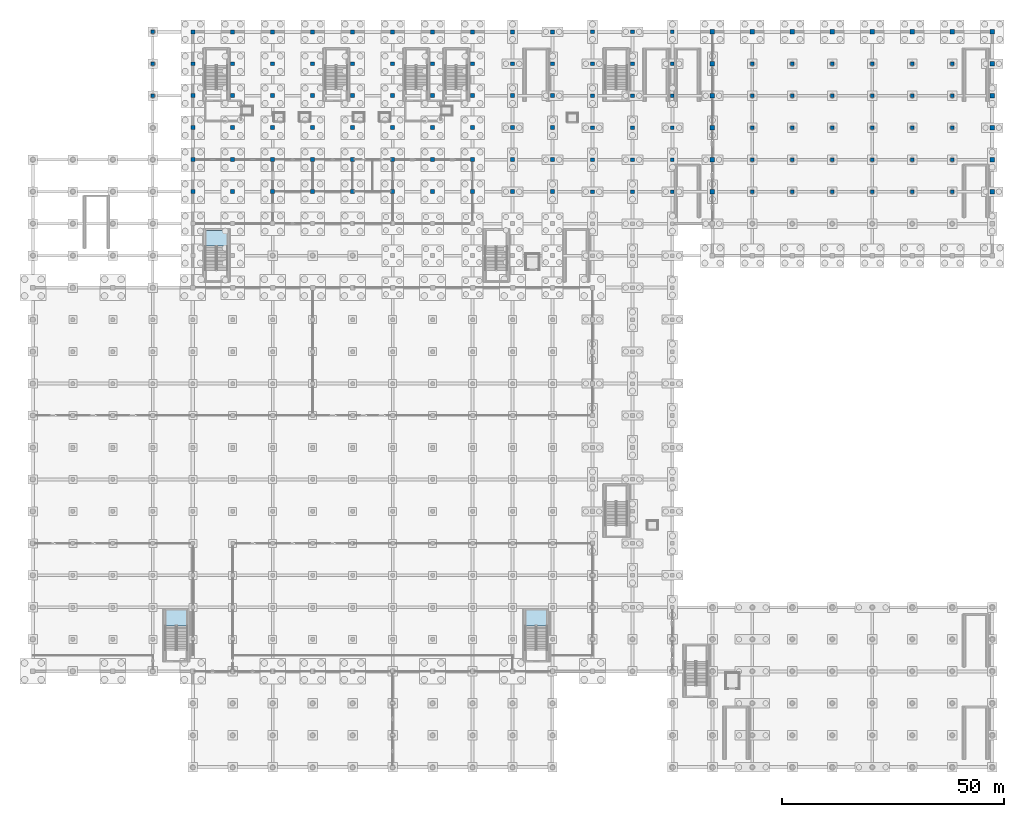
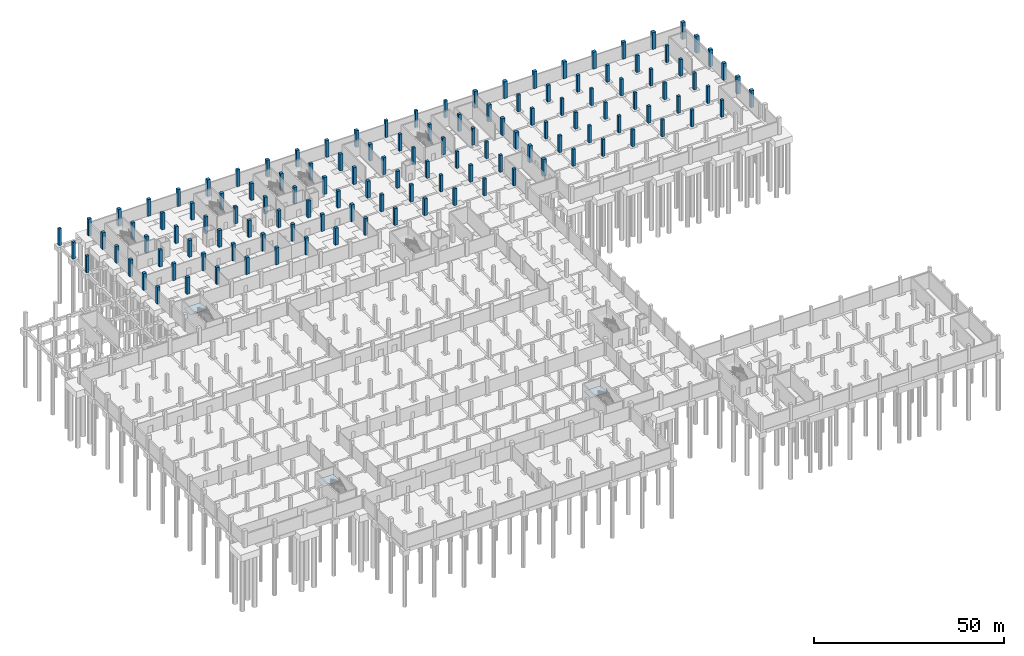
# One storey, part 14 of 39: 129 columns, 3 slabs, 3 elements without a shape of their own.
"""IFC4 building model written with IfcOpenShell, lengths in metres."""

from ifc_helpers import new_model, si_unit, direction, frame, origin, origin_2d, place, context, subcontext, project, spatial, polyline, rectangle, outline, extrude, material, layer, layer_set, material_profile, profile_set, type_object, element, aggregate, save


model = new_model("IFC4")

# Units and contexts
model_context = context("Model", 3, precision=1e-05, world=origin(), true_north=direction((0.0, 1.0)))
body_context = subcontext(model_context, "Body", "Model", "MODEL_VIEW")
ifc_project = project(units=[si_unit("LENGTHUNIT", "METRE"), si_unit("AREAUNIT", "SQUARE_METRE"), si_unit("VOLUMEUNIT", "CUBIC_METRE"), si_unit("PLANEANGLEUNIT", "RADIAN"), si_unit("MASSUNIT", "GRAM", prefix="KILO")], contexts=[model_context])

# Site, building, storey
site_placement = place(None, origin())
site = spatial("IfcSite", under=ifc_project, at=site_placement, CompositionType="ELEMENT")
building_placement = place(site_placement, origin())
building = spatial("IfcBuilding", under=site, at=building_placement, Name="Celestram Park Convention Centre", CompositionType="ELEMENT")
storey_placement = place(building_placement, frame((0.0, 0.0, -5.39990234375)))
storey = spatial("IfcBuildingStorey", under=building, at=storey_placement, Name="B1", CompositionType="ELEMENT", Elevation=-5.39990234375)

# Columns
ifc_material_1 = material(Name="Concrete C40/50", Category="concrete")
ifc_material_profile_1 = material_profile(ifc_material_1, rectangle(XDim=1.0, YDim=1.0, at=origin_2d()), Name="RC1000X1000")
ifc_profile_set_1 = profile_set([ifc_material_profile_1], Name="Concrete C40/50")
column_type_1 = type_object("IfcColumnType", Name="STR-COL-RC1000", PredefinedType="COLUMN", material=ifc_profile_set_1)
for number, where, z_axis, x_axis, name in (
    (1, (153.0, 129.60009765625, 0.0), (0.0, 0.0, 1.0), (1.0, 0.0, 0.0), "Column CN-B1-387"),
    (2, (153.0, 136.800048828125, 0.0), (0.0, 0.0, 1.0), (1.0, 0.0, 0.0), "Column CN-B1-388"),
    (3, (153.0, 144.0, 0.0), (0.0, 0.0, 1.0), (1.0, 0.0, 0.0), "Column CN-B1-389"),
    (4, (153.0, 151.199951171875, 0.0), (0.0, 0.0, 1.0), (1.0, 0.0, 0.0), "Column CN-B1-390"),
    (5, (153.0, 158.39990234375, 0.0), (0.0, 0.0, 1.0), (1.0, 0.0, 0.0), "Column CN-B1-391"),
    (6, (153.0, 165.60009765625, 0.0), (0.0, 0.0, 1.0), (1.0, 0.0, 0.0), "Column CN-B1-392"),
    (7, (162.0, 165.60009765625, 0.0), (0.0, 0.0, 1.0), (1.0, 0.0, 0.0), "Column CN-B1-406"),
    (8, (171.0, 165.60009765625, 0.0), (0.0, 0.0, 1.0), (1.0, 0.0, 0.0), "Column CN-B1-420"),
    (9, (180.0, 165.60009765625, 0.0), (0.0, 0.0, 1.0), (1.0, 0.0, 0.0), "Column CN-B1-434"),
    (10, (189.0, 165.60009765625, 0.0), (0.0, 0.0, 1.0), (1.0, 0.0, 0.0), "Column CN-B1-448"),
    (11, (198.0, 165.60009765625, 0.0), (0.0, 0.0, 1.0), (1.0, 0.0, 0.0), "Column CN-B1-462"),
    (12, (207.0, 165.60009765625, 0.0), (0.0, 0.0, 1.0), (1.0, 0.0, 0.0), "Column CN-B1-476"),
    (13, (216.0, 129.60009765625, 0.0), (0.0, 0.0, 1.0), (1.0, 0.0, 0.0), "Column CN-B1-485"),
    (14, (216.0, 136.800048828125, 0.0), (0.0, 0.0, 1.0), (1.0, 0.0, 0.0), "Column CN-B1-486"),
    (15, (216.0, 144.0, 0.0), (0.0, 0.0, 1.0), (1.0, 0.0, 0.0), "Column CN-B1-487"),
    (16, (216.0, 151.199951171875, 0.0), (0.0, 0.0, 1.0), (1.0, 0.0, 0.0), "Column CN-B1-488"),
    (17, (216.0, 158.39990234375, 0.0), (0.0, 0.0, 1.0), (1.0, 0.0, 0.0), "Column CN-B1-489"),
    (18, (216.0, 165.60009765625, 0.0), (0.0, 0.0, 1.0), (1.0, 0.0, 0.0), "Column CN-B1-490"),
):
    element("IfcColumn", number, at=place(storey_placement, frame(where, z_axis=z_axis, x_axis=x_axis)), inside=storey, type_object=column_type_1, Name=name, PredefinedType="COLUMN", context=body_context, shape_type="SweptSolid", body=[
        extrude(rectangle(XDim=1.0, YDim=1.0, at=origin_2d()), origin(), (0.0, 0.0, 1.0), 5.39990234375),
    ])
ifc_material_profile_2 = material_profile(ifc_material_1, rectangle(XDim=0.75, YDim=0.75, at=origin_2d()), Name="RC750X750")
ifc_profile_set_2 = profile_set([ifc_material_profile_2], Name="Concrete C40/50")
column_type_2 = type_object("IfcColumnType", Name="STR-COL-RC750", PredefinedType="COLUMN", material=ifc_profile_set_2)
for number, where, z_axis, x_axis, name in (
    (19, (27.0, 151.199951171875, 0.0), (0.0, 0.0, 1.0), (1.0, 0.0, 0.0), "Column CN-B1-070"),
    (20, (27.0, 158.39990234375, 0.0), (0.0, 0.0, 1.0), (1.0, 0.0, 0.0), "Column CN-B1-071"),
    (21, (27.0, 165.60009765625, 0.0), (0.0, 0.0, 1.0), (1.0, 0.0, 0.0), "Column CN-B1-072"),
):
    element("IfcColumn", number, at=place(storey_placement, frame(where, z_axis=z_axis, x_axis=x_axis)), inside=storey, type_object=column_type_2, Name=name, PredefinedType="COLUMN", context=body_context, shape_type="SweptSolid", body=[
        extrude(rectangle(XDim=0.75, YDim=0.75, at=origin_2d()), origin(), (0.0, 0.0, 1.0), 5.39990234375),
    ])
ifc_material_profile_3 = material_profile(ifc_material_1, rectangle(XDim=0.800048828125, YDim=0.800048828125, at=origin_2d()), Name="RC800X800")
ifc_profile_set_3 = profile_set([ifc_material_profile_3], Name="Concrete C40/50")
column_type_3 = type_object("IfcColumnType", Name="STR-COL-RC800", PredefinedType="COLUMN", material=ifc_profile_set_3)
for number, where, z_axis, x_axis, name in (
    (22, (126.0, 129.60009765625, 0.0), (0.0, 0.0, 1.0), (1.0, 0.0, 0.0), "Column CN-B1-328"),
    (23, (126.0, 136.800048828125, 0.0), (0.0, 0.0, 1.0), (1.0, 0.0, 0.0), "Column CN-B1-329"),
    (24, (126.0, 144.0, 0.0), (0.0, 0.0, 1.0), (1.0, 0.0, 0.0), "Column CN-B1-330"),
    (25, (126.0, 151.199951171875, 0.0), (0.0, 0.0, 1.0), (1.0, 0.0, 0.0), "Column CN-B1-331"),
    (26, (126.0, 158.39990234375, 0.0), (0.0, 0.0, 1.0), (1.0, 0.0, 0.0), "Column CN-B1-332"),
    (27, (126.0, 165.60009765625, 0.0), (0.0, 0.0, 1.0), (1.0, 0.0, 0.0), "Column CN-B1-333"),
    (28, (135.0, 129.60009765625, 0.0), (0.0, 0.0, 1.0), (1.0, 0.0, 0.0), "Column CN-B1-349"),
    (29, (135.0, 136.800048828125, 0.0), (0.0, 0.0, 1.0), (1.0, 0.0, 0.0), "Column CN-B1-350"),
    (30, (135.0, 144.0, 0.0), (0.0, 0.0, 1.0), (1.0, 0.0, 0.0), "Column CN-B1-351"),
    (31, (135.0, 151.199951171875, 0.0), (0.0, 0.0, 1.0), (1.0, 0.0, 0.0), "Column CN-B1-352"),
    (32, (135.0, 158.39990234375, 0.0), (0.0, 0.0, 1.0), (1.0, 0.0, 0.0), "Column CN-B1-353"),
    (33, (135.0, 165.60009765625, 0.0), (0.0, 0.0, 1.0), (1.0, 0.0, 0.0), "Column CN-B1-354"),
    (34, (144.0, 129.60009765625, 0.0), (0.0, 0.0, 1.0), (1.0, 0.0, 0.0), "Column CN-B1-373"),
    (35, (144.0, 136.800048828125, 0.0), (0.0, 0.0, 1.0), (1.0, 0.0, 0.0), "Column CN-B1-374"),
    (36, (144.0, 144.0, 0.0), (0.0, 0.0, 1.0), (1.0, 0.0, 0.0), "Column CN-B1-375"),
    (37, (144.0, 151.199951171875, 0.0), (0.0, 0.0, 1.0), (1.0, 0.0, 0.0), "Column CN-B1-376"),
    (38, (144.0, 158.39990234375, 0.0), (0.0, 0.0, 1.0), (1.0, 0.0, 0.0), "Column CN-B1-377"),
    (39, (144.0, 165.60009765625, 0.0), (0.0, 0.0, 1.0), (1.0, 0.0, 0.0), "Column CN-B1-378"),
    (40, (162.0, 129.60009765625, 0.0), (0.0, 0.0, 1.0), (1.0, 0.0, 0.0), "Column CN-B1-401"),
    (41, (162.0, 136.800048828125, 0.0), (0.0, 0.0, 1.0), (1.0, 0.0, 0.0), "Column CN-B1-402"),
    (42, (162.0, 144.0, 0.0), (0.0, 0.0, 1.0), (1.0, 0.0, 0.0), "Column CN-B1-403"),
    (43, (162.0, 151.199951171875, 0.0), (0.0, 0.0, 1.0), (1.0, 0.0, 0.0), "Column CN-B1-404"),
    (44, (162.0, 158.39990234375, 0.0), (0.0, 0.0, 1.0), (1.0, 0.0, 0.0), "Column CN-B1-405"),
    (45, (171.0, 129.60009765625, 0.0), (0.0, 0.0, 1.0), (1.0, 0.0, 0.0), "Column CN-B1-415"),
    (46, (171.0, 136.800048828125, 0.0), (0.0, 0.0, 1.0), (1.0, 0.0, 0.0), "Column CN-B1-416"),
    (47, (171.0, 144.0, 0.0), (0.0, 0.0, 1.0), (1.0, 0.0, 0.0), "Column CN-B1-417"),
    (48, (171.0, 151.199951171875, 0.0), (0.0, 0.0, 1.0), (1.0, 0.0, 0.0), "Column CN-B1-418"),
    (49, (171.0, 158.39990234375, 0.0), (0.0, 0.0, 1.0), (1.0, 0.0, 0.0), "Column CN-B1-419"),
    (50, (180.0, 129.60009765625, 0.0), (0.0, 0.0, 1.0), (1.0, 0.0, 0.0), "Column CN-B1-429"),
    (51, (180.0, 136.800048828125, 0.0), (0.0, 0.0, 1.0), (1.0, 0.0, 0.0), "Column CN-B1-430"),
    (52, (180.0, 144.0, 0.0), (0.0, 0.0, 1.0), (1.0, 0.0, 0.0), "Column CN-B1-431"),
    (53, (180.0, 151.199951171875, 0.0), (0.0, 0.0, 1.0), (1.0, 0.0, 0.0), "Column CN-B1-432"),
    (54, (180.0, 158.39990234375, 0.0), (0.0, 0.0, 1.0), (1.0, 0.0, 0.0), "Column CN-B1-433"),
    (55, (189.0, 129.60009765625, 0.0), (0.0, 0.0, 1.0), (1.0, 0.0, 0.0), "Column CN-B1-443"),
    (56, (189.0, 136.800048828125, 0.0), (0.0, 0.0, 1.0), (1.0, 0.0, 0.0), "Column CN-B1-444"),
    (57, (189.0, 144.0, 0.0), (0.0, 0.0, 1.0), (1.0, 0.0, 0.0), "Column CN-B1-445"),
    (58, (189.0, 151.199951171875, 0.0), (0.0, 0.0, 1.0), (1.0, 0.0, 0.0), "Column CN-B1-446"),
    (59, (189.0, 158.39990234375, 0.0), (0.0, 0.0, 1.0), (1.0, 0.0, 0.0), "Column CN-B1-447"),
    (60, (198.0, 129.60009765625, 0.0), (0.0, 0.0, 1.0), (1.0, 0.0, 0.0), "Column CN-B1-457"),
    (61, (198.0, 136.800048828125, 0.0), (0.0, 0.0, 1.0), (1.0, 0.0, 0.0), "Column CN-B1-458"),
    (62, (198.0, 144.0, 0.0), (0.0, 0.0, 1.0), (1.0, 0.0, 0.0), "Column CN-B1-459"),
    (63, (198.0, 151.199951171875, 0.0), (0.0, 0.0, 1.0), (1.0, 0.0, 0.0), "Column CN-B1-460"),
    (64, (198.0, 158.39990234375, 0.0), (0.0, 0.0, 1.0), (1.0, 0.0, 0.0), "Column CN-B1-461"),
    (65, (207.0, 129.60009765625, 0.0), (0.0, 0.0, 1.0), (1.0, 0.0, 0.0), "Column CN-B1-471"),
    (66, (207.0, 136.800048828125, 0.0), (0.0, 0.0, 1.0), (1.0, 0.0, 0.0), "Column CN-B1-472"),
    (67, (207.0, 144.0, 0.0), (0.0, 0.0, 1.0), (1.0, 0.0, 0.0), "Column CN-B1-473"),
    (68, (207.0, 151.199951171875, 0.0), (0.0, 0.0, 1.0), (1.0, 0.0, 0.0), "Column CN-B1-474"),
    (69, (207.0, 158.39990234375, 0.0), (0.0, 0.0, 1.0), (1.0, 0.0, 0.0), "Column CN-B1-475"),
):
    element("IfcColumn", number, at=place(storey_placement, frame(where, z_axis=z_axis, x_axis=x_axis)), inside=storey, type_object=column_type_3, Name=name, PredefinedType="COLUMN", context=body_context, shape_type="SweptSolid", body=[
        extrude(rectangle(XDim=0.800048828125, YDim=0.800048828125, at=origin_2d()), origin(), (0.0, 0.0, 1.0), 5.39990234375),
    ])
ifc_material_profile_4 = material_profile(ifc_material_1, rectangle(XDim=0.89990234375, YDim=0.89990234375, at=origin_2d()), Name="RC900X900")
ifc_profile_set_4 = profile_set([ifc_material_profile_4], Name="Concrete C40/50")
column_type_4 = type_object("IfcColumnType", Name="STR-COL-RC900", PredefinedType="COLUMN", material=ifc_profile_set_4)
for number, where, z_axis, x_axis, name in (
    (70, (36.0, 129.60009765625, 0.0), (0.0, 0.0, 1.0), (1.0, 0.0, 0.0), "Column CN-B1-091"),
    (71, (36.0, 136.800048828125, 0.0), (0.0, 0.0, 1.0), (1.0, 0.0, 0.0), "Column CN-B1-092"),
    (72, (36.0, 144.0, 0.0), (0.0, 0.0, 1.0), (1.0, 0.0, 0.0), "Column CN-B1-093"),
    (73, (36.0, 151.199951171875, 0.0), (0.0, 0.0, 1.0), (1.0, 0.0, 0.0), "Column CN-B1-094"),
    (74, (36.0, 158.39990234375, 0.0), (0.0, 0.0, 1.0), (1.0, 0.0, 0.0), "Column CN-B1-095"),
    (75, (36.0, 165.60009765625, 0.0), (0.0, 0.0, 1.0), (1.0, 0.0, 0.0), "Column CN-B1-096"),
    (76, (45.0, 129.60009765625, 0.0), (0.0, 0.0, 1.0), (1.0, 0.0, 0.0), "Column CN-B1-115"),
    (77, (45.0, 136.800048828125, 0.0), (0.0, 0.0, 1.0), (1.0, 0.0, 0.0), "Column CN-B1-116"),
    (78, (45.0, 144.0, 0.0), (0.0, 0.0, 1.0), (1.0, 0.0, 0.0), "Column CN-B1-117"),
    (79, (45.0, 151.199951171875, 0.0), (0.0, 0.0, 1.0), (1.0, 0.0, 0.0), "Column CN-B1-118"),
    (80, (45.0, 158.39990234375, 0.0), (0.0, 0.0, 1.0), (1.0, 0.0, 0.0), "Column CN-B1-119"),
    (81, (45.0, 165.60009765625, 0.0), (0.0, 0.0, 1.0), (1.0, 0.0, 0.0), "Column CN-B1-120"),
    (82, (54.0, 129.60009765625, 0.0), (0.0, 0.0, 1.0), (1.0, 0.0, 0.0), "Column CN-B1-139"),
    (83, (54.0, 136.800048828125, 0.0), (0.0, 0.0, 1.0), (1.0, 0.0, 0.0), "Column CN-B1-140"),
    (84, (54.0, 144.0, 0.0), (0.0, 0.0, 1.0), (1.0, 0.0, 0.0), "Column CN-B1-141"),
    (85, (54.0, 151.199951171875, 0.0), (0.0, 0.0, 1.0), (1.0, 0.0, 0.0), "Column CN-B1-142"),
    (86, (54.0, 158.39990234375, 0.0), (0.0, 0.0, 1.0), (1.0, 0.0, 0.0), "Column CN-B1-143"),
    (87, (54.0, 165.60009765625, 0.0), (0.0, 0.0, 1.0), (1.0, 0.0, 0.0), "Column CN-B1-144"),
    (88, (63.0, 129.60009765625, 0.0), (0.0, 0.0, 1.0), (1.0, 0.0, 0.0), "Column CN-B1-163"),
    (89, (63.0, 136.800048828125, 0.0), (0.0, 0.0, 1.0), (1.0, 0.0, 0.0), "Column CN-B1-164"),
    (90, (63.0, 144.0, 0.0), (0.0, 0.0, 1.0), (1.0, 0.0, 0.0), "Column CN-B1-165"),
    (91, (63.0, 151.199951171875, 0.0), (0.0, 0.0, 1.0), (1.0, 0.0, 0.0), "Column CN-B1-166"),
    (92, (63.0, 158.39990234375, 0.0), (0.0, 0.0, 1.0), (1.0, 0.0, 0.0), "Column CN-B1-167"),
    (93, (63.0, 165.60009765625, 0.0), (0.0, 0.0, 1.0), (1.0, 0.0, 0.0), "Column CN-B1-168"),
    (94, (72.0, 129.60009765625, 0.0), (0.0, 0.0, 1.0), (1.0, 0.0, 0.0), "Column CN-B1-187"),
    (95, (72.0, 136.800048828125, 0.0), (0.0, 0.0, 1.0), (1.0, 0.0, 0.0), "Column CN-B1-188"),
    (96, (72.0, 144.0, 0.0), (0.0, 0.0, 1.0), (1.0, 0.0, 0.0), "Column CN-B1-189"),
    (97, (72.0, 151.199951171875, 0.0), (0.0, 0.0, 1.0), (1.0, 0.0, 0.0), "Column CN-B1-190"),
    (98, (72.0, 158.39990234375, 0.0), (0.0, 0.0, 1.0), (1.0, 0.0, 0.0), "Column CN-B1-191"),
    (99, (72.0, 165.60009765625, 0.0), (0.0, 0.0, 1.0), (1.0, 0.0, 0.0), "Column CN-B1-192"),
    (100, (81.0, 129.60009765625, 0.0), (0.0, 0.0, 1.0), (1.0, 0.0, 0.0), "Column CN-B1-211"),
    (101, (81.0, 136.800048828125, 0.0), (0.0, 0.0, 1.0), (1.0, 0.0, 0.0), "Column CN-B1-212"),
    (102, (81.0, 144.0, 0.0), (0.0, 0.0, 1.0), (1.0, 0.0, 0.0), "Column CN-B1-213"),
    (103, (81.0, 151.199951171875, 0.0), (0.0, 0.0, 1.0), (1.0, 0.0, 0.0), "Column CN-B1-214"),
    (104, (81.0, 158.39990234375, 0.0), (0.0, 0.0, 1.0), (1.0, 0.0, 0.0), "Column CN-B1-215"),
    (105, (81.0, 165.60009765625, 0.0), (0.0, 0.0, 1.0), (1.0, 0.0, 0.0), "Column CN-B1-216"),
    (106, (90.0, 129.60009765625, 0.0), (0.0, 0.0, 1.0), (1.0, 0.0, 0.0), "Column CN-B1-235"),
    (107, (90.0, 136.800048828125, 0.0), (0.0, 0.0, 1.0), (1.0, 0.0, 0.0), "Column CN-B1-236"),
    (108, (90.0, 144.0, 0.0), (0.0, 0.0, 1.0), (1.0, 0.0, 0.0), "Column CN-B1-237"),
    (109, (90.0, 151.199951171875, 0.0), (0.0, 0.0, 1.0), (1.0, 0.0, 0.0), "Column CN-B1-238"),
    (110, (90.0, 158.39990234375, 0.0), (0.0, 0.0, 1.0), (1.0, 0.0, 0.0), "Column CN-B1-239"),
    (111, (90.0, 165.60009765625, 0.0), (0.0, 0.0, 1.0), (1.0, 0.0, 0.0), "Column CN-B1-240"),
    (112, (99.0, 129.60009765625, 0.0), (0.0, 0.0, 1.0), (1.0, 0.0, 0.0), "Column CN-B1-259"),
    (113, (99.0, 136.800048828125, 0.0), (0.0, 0.0, 1.0), (1.0, 0.0, 0.0), "Column CN-B1-260"),
    (114, (99.0, 144.0, 0.0), (0.0, 0.0, 1.0), (1.0, 0.0, 0.0), "Column CN-B1-261"),
    (115, (99.0, 151.199951171875, 0.0), (0.0, 0.0, 1.0), (1.0, 0.0, 0.0), "Column CN-B1-262"),
    (116, (99.0, 158.39990234375, 0.0), (0.0, 0.0, 1.0), (1.0, 0.0, 0.0), "Column CN-B1-263"),
    (117, (99.0, 165.60009765625, 0.0), (0.0, 0.0, 1.0), (1.0, 0.0, 0.0), "Column CN-B1-264"),
    (118, (108.0, 129.60009765625, 0.0), (0.0, 0.0, 1.0), (1.0, 0.0, 0.0), "Column CN-B1-283"),
    (119, (108.0, 136.800048828125, 0.0), (0.0, 0.0, 1.0), (1.0, 0.0, 0.0), "Column CN-B1-284"),
    (120, (108.0, 144.0, 0.0), (0.0, 0.0, 1.0), (1.0, 0.0, 0.0), "Column CN-B1-285"),
    (121, (108.0, 151.199951171875, 0.0), (0.0, 0.0, 1.0), (1.0, 0.0, 0.0), "Column CN-B1-286"),
    (122, (108.0, 158.39990234375, 0.0), (0.0, 0.0, 1.0), (1.0, 0.0, 0.0), "Column CN-B1-287"),
    (123, (108.0, 165.60009765625, 0.0), (0.0, 0.0, 1.0), (1.0, 0.0, 0.0), "Column CN-B1-288"),
    (124, (117.0, 129.60009765625, 0.0), (0.0, 0.0, 1.0), (1.0, 0.0, 0.0), "Column CN-B1-307"),
    (125, (117.0, 136.800048828125, 0.0), (0.0, 0.0, 1.0), (1.0, 0.0, 0.0), "Column CN-B1-308"),
    (126, (117.0, 144.0, 0.0), (0.0, 0.0, 1.0), (1.0, 0.0, 0.0), "Column CN-B1-309"),
    (127, (117.0, 151.199951171875, 0.0), (0.0, 0.0, 1.0), (1.0, 0.0, 0.0), "Column CN-B1-310"),
    (128, (117.0, 158.39990234375, 0.0), (0.0, 0.0, 1.0), (1.0, 0.0, 0.0), "Column CN-B1-311"),
    (129, (117.0, 165.60009765625, 0.0), (0.0, 0.0, 1.0), (1.0, 0.0, 0.0), "Column CN-B1-312"),
):
    element("IfcColumn", number, at=place(storey_placement, frame(where, z_axis=z_axis, x_axis=x_axis)), inside=storey, type_object=column_type_4, Name=name, PredefinedType="COLUMN", context=body_context, shape_type="SweptSolid", body=[
        extrude(rectangle(XDim=0.89990234375, YDim=0.89990234375, at=origin_2d()), origin(), (0.0, 0.0, 1.0), 5.39990234375),
    ])

# Stair, slab
ifc_material_2 = material(Name="Precast Concrete C40/50", Category="concrete")
stair_type = type_object("IfcStairType", Name="ARC-STR-DOG54", PredefinedType="HALF_TURN_STAIR", material=ifc_material_2)
stair_1_placement = place(storey_placement, origin())
stair_1 = element("IfcStair", 130, at=stair_1_placement, inside=storey, type_object=stair_type, Name="B1 Core S13 stair ST-13", PredefinedType="HALF_TURN_STAIR")
ifc_material_3 = material(Name="Concrete C35/45", Category="concrete")
ifc_layer = layer(ifc_material_3, 0.199951171875)
ifc_layer_set = layer_set([ifc_layer], Name="Concrete C35/45")
slab_type = type_object("IfcSlabType", Name="STR-SLB-LND200", PredefinedType="LANDING", material=ifc_layer_set)
slab_1_placement = place(storey_placement, frame((0.0, 0.0, 2.5)))
slab_1 = element("IfcSlab", 131, at=slab_1_placement, type_object=slab_type, Name="ST-13 landing 1", PredefinedType="LANDING", context=body_context, shape_type="SweptSolid", body=[
    extrude(outline(polyline([(43.800048828125, 117.333984375), (43.800048828125, 120.89990234375), (38.840087890625, 120.89990234375), (38.840087890625, 117.333984375), (43.800048828125, 117.333984375)])), origin(), (0.0, 0.0, 1.0), 0.199951171875),
])
aggregate(stair_1, [slab_1])

stair_2_placement = place(storey_placement, origin())
stair_2 = element("IfcStair", 132, at=stair_2_placement, inside=storey, type_object=stair_type, Name="B1 Core S17 stair ST-17", PredefinedType="HALF_TURN_STAIR")
slab_2_placement = place(storey_placement, frame((0.0, 0.0, 2.5)))
slab_2 = element("IfcSlab", 133, at=slab_2_placement, type_object=slab_type, Name="ST-17 landing 1", PredefinedType="LANDING", context=body_context, shape_type="SweptSolid", body=[
    extrude(outline(polyline([(34.800048828125, 31.833984375), (34.800048828125, 35.39990234375), (29.840087890625, 35.39990234375), (29.840087890625, 31.833984375), (34.800048828125, 31.833984375)])), origin(), (0.0, 0.0, 1.0), 0.199951171875),
])
aggregate(stair_2, [slab_2])

stair_3_placement = place(storey_placement, origin())
stair_3 = element("IfcStair", 134, at=stair_3_placement, inside=storey, type_object=stair_type, Name="B1 Core S18 stair ST-18", PredefinedType="HALF_TURN_STAIR")
slab_3_placement = place(storey_placement, frame((0.0, 0.0, 2.5)))
slab_3 = element("IfcSlab", 135, at=slab_3_placement, type_object=slab_type, Name="ST-18 landing 1", PredefinedType="LANDING", context=body_context, shape_type="SweptSolid", body=[
    extrude(outline(polyline([(115.800048828125, 31.833984375), (115.800048828125, 35.39990234375), (110.840087890625, 35.39990234375), (110.840087890625, 31.833984375), (115.800048828125, 31.833984375)])), origin(), (0.0, 0.0, 1.0), 0.199951171875),
])
aggregate(stair_3, [slab_3])

save(model, "model.ifc")
